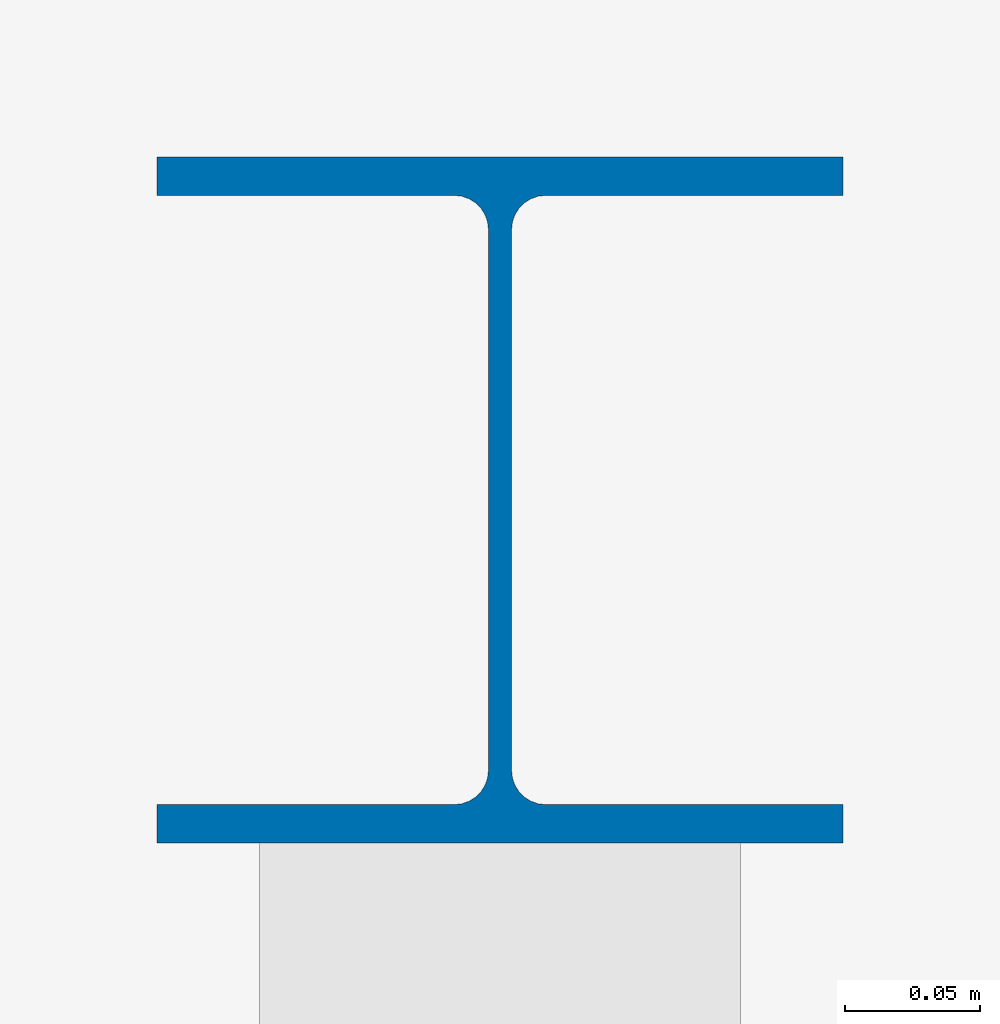
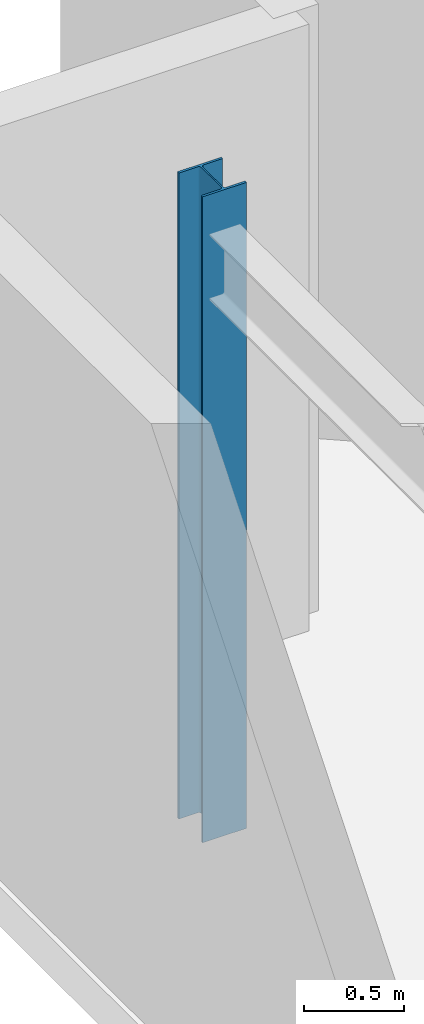
# One storey, part 4 of 15: 1 column.
"""IFC4 building model written with IfcOpenShell, lengths in metres."""

from ifc_helpers import new_model, si_unit, direction, frame, origin, origin_2d, place, context, subcontext, project, spatial, i_section, extrude, material, material_profile, profile_set, type_object, element, save


model = new_model("IFC4")

# Units and contexts
model_context = context("Model", 3, precision=1e-05, world=origin(), true_north=direction((0.0, 1.0)))
body_context = subcontext(model_context, "Body", "Model", "MODEL_VIEW")
ifc_project = project(units=[si_unit("LENGTHUNIT", "METRE"), si_unit("AREAUNIT", "SQUARE_METRE"), si_unit("VOLUMEUNIT", "CUBIC_METRE"), si_unit("PLANEANGLEUNIT", "RADIAN"), si_unit("MASSUNIT", "GRAM", prefix="KILO")], contexts=[model_context])

# Site, building, storey
site_placement = place(None, origin())
site = spatial("IfcSite", under=ifc_project, at=site_placement, CompositionType="ELEMENT")
building_placement = place(site_placement, origin())
building = spatial("IfcBuilding", under=site, at=building_placement, Name="Varnakote Quay Hospital", CompositionType="ELEMENT")
storey_placement = place(building_placement, frame((0.0, 0.0, 276.300048828125)))
storey = spatial("IfcBuildingStorey", under=building, at=storey_placement, Name="L68", CompositionType="ELEMENT", Elevation=276.300048828125)

# Column
ifc_material = material(Name="Structural steel AS/NZS 3679.1 Grade 350 L0 (fy 340 MPa)", Category="steel")
ifc_material_profile = material_profile(ifc_material, i_section(OverallWidth=0.25390625, OverallDepth=0.25390625, WebThickness=0.008544921875, FlangeThickness=0.01416015625, FilletRadius=0.0126953125, at=origin_2d()), Name="250UC72.9")
ifc_profile_set = profile_set([ifc_material_profile], Name="Structural steel AS/NZS 3679.1 Grade 350 L0 (fy 340 MPa)")
column_type = type_object("IfcColumnType", Name="COL-STL-250UC72-9", PredefinedType="COLUMN", material=ifc_profile_set)
column_placement = place(storey_placement, frame((1.199951171875, 37.199951171875, 0.0), z_axis=(0.0, 0.0, 1.0), x_axis=(1.0, 0.0, 0.0)))
element("IfcColumn", 1, at=column_placement, inside=storey, type_object=column_type, Name="L68 Structural Column C-1-37", PredefinedType="COLUMN", context=body_context, shape_type="SweptSolid", body=[
    extrude(i_section(OverallWidth=0.25390625, OverallDepth=0.25390625, WebThickness=0.008544921875, FlangeThickness=0.01416015625, FilletRadius=0.0126953125, at=origin_2d()), origin(), (0.0, 0.0, 1.0), 3.949951171875),
])

save(model, "model.ifc")
